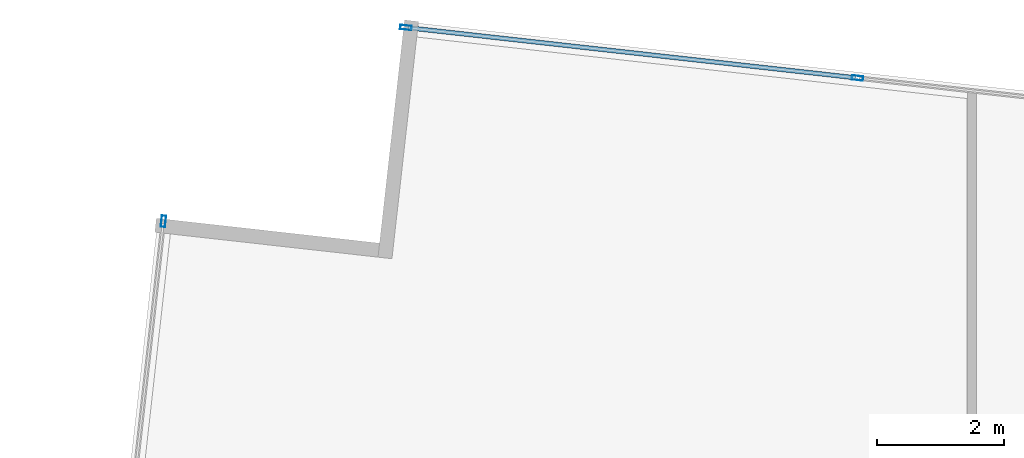
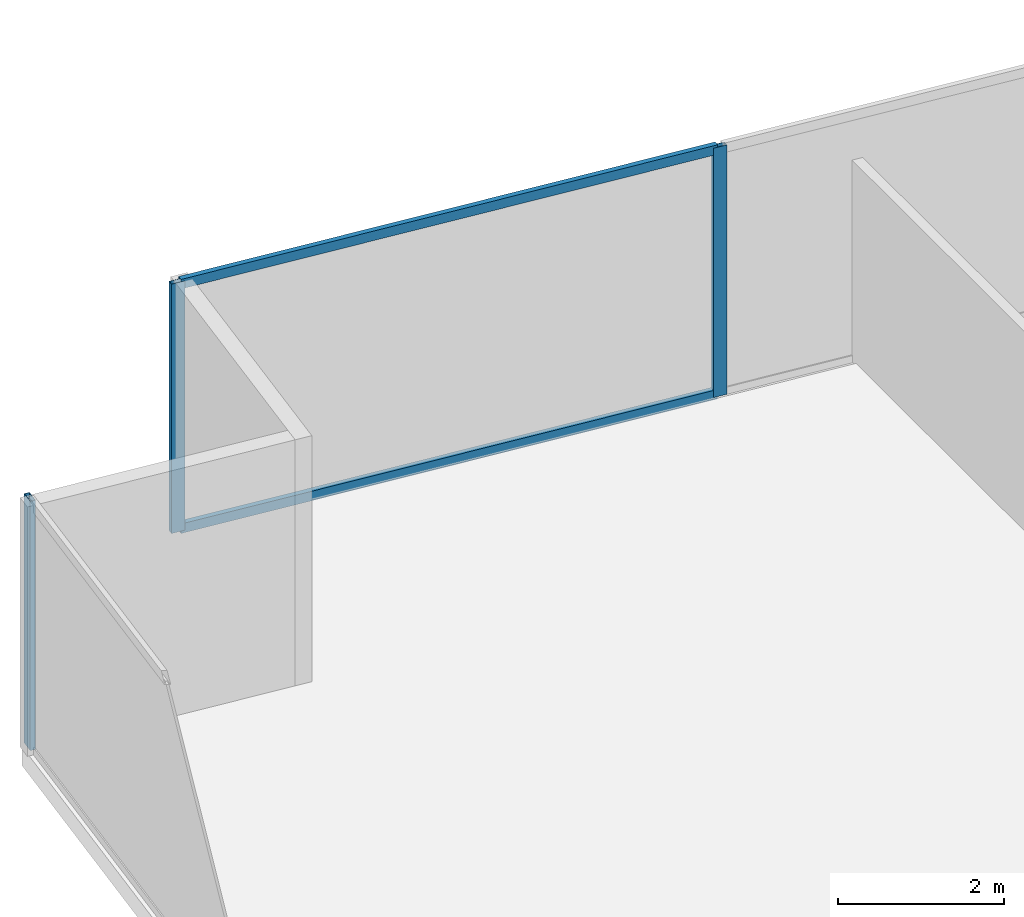
# One storey, part 18 of 31: 5 members, 2 elements without a shape of their own.
"""IFC4 building model written with IfcOpenShell, lengths in metres."""

from ifc_helpers import new_model, si_unit, direction, frame, origin, origin_2d, place, context, subcontext, project, spatial, hollow_rectangle, extrude, source, transform, mapped, material, material_profile, profile_set, type_object, type_shapes, element, aggregate, save


model = new_model("IFC4")

# Units and contexts
model_context = context("Model", 3, precision=1e-05, world=origin(), true_north=direction((0.0, 1.0)))
body_context = subcontext(model_context, "Body", "Model", "MODEL_VIEW")
ifc_project = project(units=[si_unit("LENGTHUNIT", "METRE"), si_unit("AREAUNIT", "SQUARE_METRE"), si_unit("VOLUMEUNIT", "CUBIC_METRE"), si_unit("PLANEANGLEUNIT", "RADIAN"), si_unit("MASSUNIT", "GRAM", prefix="KILO")], contexts=[model_context])

# Site, building, storey
site_placement = place(None, origin())
site = spatial("IfcSite", under=ifc_project, at=site_placement, CompositionType="ELEMENT")
building_placement = place(site_placement, origin())
building = spatial("IfcBuilding", under=site, at=building_placement, Name="Krantzveldt Concourse Tower", CompositionType="ELEMENT")
storey_placement = place(building_placement, frame((0.0, 0.0, 56.60009765625)))
storey = spatial("IfcBuildingStorey", under=building, at=storey_placement, Name="L13", CompositionType="ELEMENT", Elevation=56.60009765625)

# Curtain wall, member
ifc_material = material(Name="Anodised aluminium 6063-T6", Category="aluminium")
curtain_wall_type = type_object("IfcCurtainWallType", Name="CW2", PredefinedType="USERDEFINED", material=ifc_material)
curtain_wall_1_placement = place(storey_placement, origin())
curtain_wall_1 = element("IfcCurtainWall", 1, at=curtain_wall_1_placement, inside=storey, type_object=curtain_wall_type, Name="CW-L13-F01", ObjectType="UNITISED CURTAIN WALL", PredefinedType="USERDEFINED")
ifc_material_profile_1 = material_profile(ifc_material, hollow_rectangle(XDim=0.070068359375, YDim=0.179931640625, WallThickness=0.0048828125, at=origin_2d()), Name="Anodised aluminium 6063-T6", Category="aluminium")
ifc_profile_set_1 = profile_set([ifc_material_profile_1], Name="Anodised aluminium 6063-T6 - ALU-MULL 180x70x5")
member_type_1 = type_object("IfcMemberType", Name="CW-MUL-180", PredefinedType="MULLION", material=ifc_profile_set_1)
shared_shape_1 = source(origin(), body_context, "Body", "SweptSolid", [
    extrude(hollow_rectangle(XDim=0.070068359375, YDim=0.179931640625, WallThickness=0.0048828125, at=origin_2d()), origin(), (0.0, 0.0, 1.0), 3.669921875),
])
type_shapes(member_type_1, [shared_shape_1])
member_1_placement = place(storey_placement, frame((13.62744140625, 50.798095703125, 0.0), z_axis=(0.0, 0.0, 1.0), x_axis=(0.993816458223, -0.111035342863, 0.0)))
member_1 = element("IfcMember", 2, at=member_1_placement, type_object=member_type_1, Name="CW-Z12 mullion 1", PredefinedType="MULLION", context=body_context, shape_type="MappedRepresentation", body=[
    mapped(shared_shape_1, transform((0.0, 0.0, 0.0), x_axis=(1.0, 0.0, 0.0), y_axis=(0.0, 1.0, 0.0), z_axis=(0.0, 0.0, 1.0), scale=1.0)),
])
aggregate(curtain_wall_1, [member_1])

# Curtain wall, members
curtain_wall_2_placement = place(storey_placement, origin())
curtain_wall_2 = element("IfcCurtainWall", 3, at=curtain_wall_2_placement, inside=storey, type_object=curtain_wall_type, Name="CW-L13-F10", ObjectType="UNITISED CURTAIN WALL", PredefinedType="USERDEFINED")
member_2_placement = place(storey_placement, frame((24.521240234375, 53.04736328125, 0.0), z_axis=(0.0, 0.0, 1.0), x_axis=(-0.111035342863, -0.993816458223, 0.0)))
member_2 = element("IfcMember", 4, at=member_2_placement, type_object=member_type_1, Name="CW-Z12 mullion 6", PredefinedType="MULLION", context=body_context, shape_type="MappedRepresentation", body=[
    mapped(shared_shape_1, transform((0.0, 0.0, 0.0), x_axis=(1.0, 0.0, 0.0), y_axis=(0.0, 1.0, 0.0), z_axis=(0.0, 0.0, 1.0), scale=1.0)),
])
member_3_placement = place(storey_placement, frame((17.43359375, 53.83935546875, 0.0), z_axis=(0.0, 0.0, 1.0), x_axis=(-0.111035342863, -0.993816458223, 0.0)))
member_3 = element("IfcMember", 5, at=member_3_placement, type_object=member_type_1, Name="CW-Z12 mullion 7", PredefinedType="MULLION", context=body_context, shape_type="MappedRepresentation", body=[
    mapped(shared_shape_1, transform((0.0, 0.0, 0.0), x_axis=(1.0, 0.0, 0.0), y_axis=(0.0, 1.0, 0.0), z_axis=(0.0, 0.0, 1.0), scale=1.0)),
])
ifc_material_profile_2 = material_profile(ifc_material, hollow_rectangle(XDim=0.070068359375, YDim=0.139892578125, WallThickness=0.0048828125, at=origin_2d()), Name="Anodised aluminium 6063-T6", Category="aluminium")
ifc_profile_set_2 = profile_set([ifc_material_profile_2], Name="Anodised aluminium 6063-T6 - ALU-TRAN 140x70x5")
member_type_2 = type_object("IfcMemberType", Name="CW-TRN-150", PredefinedType="USERDEFINED", material=ifc_profile_set_2)
shared_shape_2 = source(origin(), body_context, "Body", "SweptSolid", [
    extrude(hollow_rectangle(XDim=0.070068359375, YDim=0.139892578125, WallThickness=0.0048828125, at=origin_2d()), origin(), (0.0, 0.0, 1.0), 7.0615234375),
])
type_shapes(member_type_2, [shared_shape_2])
member_4_placement = place(storey_placement, frame((24.486328125, 53.05126953125, 0.034912109375), z_axis=(-0.993814816866, 0.111050032763, 0.0), x_axis=(-0.111050032763, -0.993814816866, 0.0)))
member_4 = element("IfcMember", 6, at=member_4_placement, type_object=member_type_2, Name="CW-Z12 transom 6.1", ObjectType="TRANSOM", PredefinedType="USERDEFINED", context=body_context, shape_type="MappedRepresentation", body=[
    mapped(shared_shape_2, transform((0.0, 0.0, 0.0), x_axis=(1.0, 0.0, 0.0), y_axis=(0.0, 1.0, 0.0), z_axis=(0.0, 0.0, 1.0), scale=1.0)),
])
member_5_placement = place(storey_placement, frame((24.486328125, 53.05126953125, 3.635009765625), z_axis=(-0.993814816866, 0.111050032763, 0.0), x_axis=(-0.111050032763, -0.993814816866, 0.0)))
member_5 = element("IfcMember", 7, at=member_5_placement, type_object=member_type_2, Name="CW-Z12 transom 6.2", ObjectType="TRANSOM", PredefinedType="USERDEFINED", context=body_context, shape_type="MappedRepresentation", body=[
    mapped(shared_shape_2, transform((0.0, 0.0, 0.0), x_axis=(1.0, 0.0, 0.0), y_axis=(0.0, 1.0, 0.0), z_axis=(0.0, 0.0, 1.0), scale=1.0)),
])
aggregate(curtain_wall_2, [member_2, member_3, member_4, member_5])

save(model, "model.ifc")
